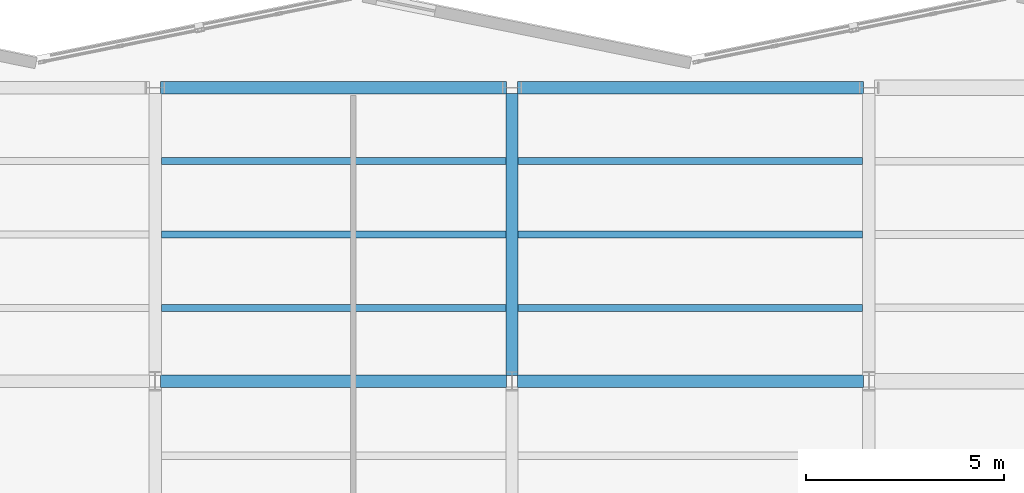
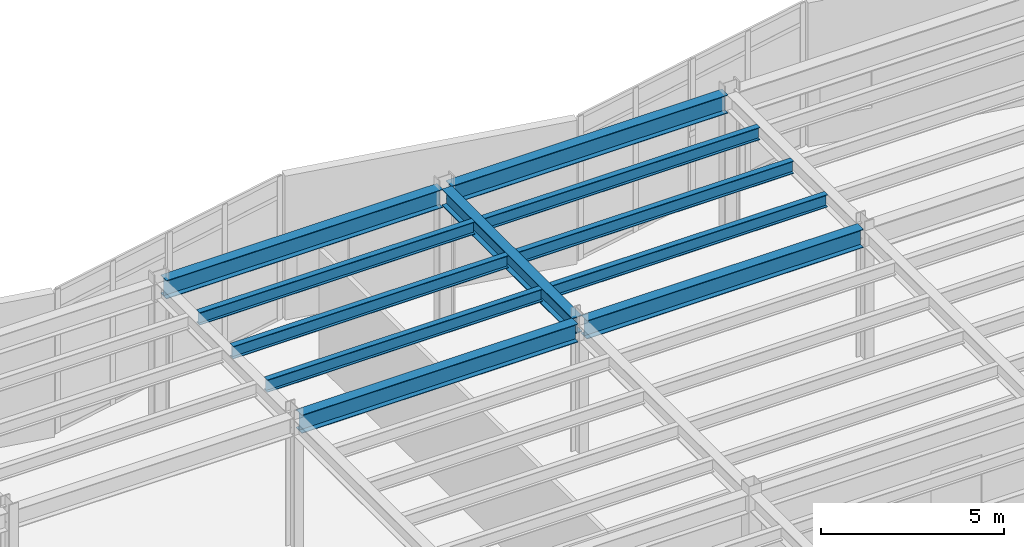
# One storey, part 45 of 91: 11 beams.
"""IFC4 building model written with IfcOpenShell, lengths in metres."""

import ifcopenshell
import ifcopenshell.guid

model = None  # the IFC model being written
_history = None  # IfcOwnerHistory: only IFC2X3 demands one
_inside = {}  # id of a spatial element -> (the spatial element, [elements in it])
_under = {}  # id of a project, library or spatial element -> (it, [spatial elements below it])
_declared = {}  # id of a project -> (the project, [libraries it declares])
_typed = {}  # id of a type object -> (the type object, [elements of that type])
_made_of = {}  # id of a material, layer set ... -> (it, [elements and type objects made of it])


def new_model(schema):
    """Start an empty IFC model of exactly this schema.

    Asked for "IFC4X3", IfcOpenShell would pick the latest addendum, in which some entities
    have other attributes; the version numbers below select the first issue.
    IFC2X3 requires an IfcOwnerHistory on every rooted entity: one is made here for all.
    """
    global model, _history
    if schema == "IFC4X3":
        model = ifcopenshell.file(schema_version=(4, 3, 0, 0))
    else:
        model = ifcopenshell.file(schema=schema)
    _inside.clear()
    _under.clear()
    _declared.clear()
    _typed.clear()
    _made_of.clear()
    _history = None
    if model.schema == "IFC2X3":
        org = make("IfcOrganization", Name="unknown")
        user = make(
            "IfcPersonAndOrganization",
            ThePerson=make("IfcPerson", FamilyName="unknown"),
            TheOrganization=org,
        )
        app = make(
            "IfcApplication",
            ApplicationDeveloper=org,
            Version="unknown",
            ApplicationFullName="unknown",
            ApplicationIdentifier="unknown",
        )
        _history = make(
            "IfcOwnerHistory",
            OwningUser=user,
            OwningApplication=app,
            ChangeAction="ADDED",
            CreationDate=0,
        )
    return model


def make(cls, **values):
    """One entity of the class cls with the attributes given. An attribute that is None is left unset."""
    return model.create_entity(
        cls, **{name: value for name, value in values.items() if value is not None}
    )


def rooted(cls, **values):
    """An entity with a GlobalId (a new one), such as an element, a storey or a relation."""
    return make(cls, GlobalId=ifcopenshell.guid.new(), OwnerHistory=_history, **values)


def si_unit(unit_type, name, prefix=None):
    """IfcSIUnit, for example si_unit("LENGTHUNIT", "METRE", prefix="MILLI")."""
    return make("IfcSIUnit", UnitType=unit_type, Prefix=prefix, Name=name)


def assignment(units):
    """IfcUnitAssignment: the units of a project."""
    return None if units is None else make("IfcUnitAssignment", Units=units)


def point(xyz):
    """IfcCartesianPoint."""
    return None if xyz is None else make("IfcCartesianPoint", Coordinates=xyz)


def direction(xyz):
    """IfcDirection."""
    return None if xyz is None else make("IfcDirection", DirectionRatios=xyz)


def frame(location, z_axis=None, x_axis=None):
    """IfcAxis2Placement3D, a coordinate frame: its origin and axes. An axis left out is left unset."""
    return make(
        "IfcAxis2Placement3D",
        Location=point(location),
        Axis=direction(z_axis),
        RefDirection=direction(x_axis),
    )


def frame_2d(location, x_axis=None):
    """IfcAxis2Placement2D, a coordinate frame in the plane: its origin and x axis."""
    return make(
        "IfcAxis2Placement2D", Location=point(location), RefDirection=direction(x_axis)
    )


def origin():
    """The frame at (0, 0, 0) with its axes left unset."""
    return frame((0.0, 0.0, 0.0))


def origin_2d():
    """The frame at (0, 0) in the plane with its x axis left unset."""
    return frame_2d((0.0, 0.0))


def place(relative_to, where):
    """IfcLocalPlacement: puts the frame where relative to a parent placement (None: the world)."""
    return make(
        "IfcLocalPlacement", PlacementRelTo=relative_to, RelativePlacement=where
    )


def context(
    kind, dimensions, precision=None, world=None, true_north=None, identifier=None
):
    """IfcGeometricRepresentationContext, for example the 3D "Model" context."""
    return make(
        "IfcGeometricRepresentationContext",
        ContextIdentifier=identifier,
        ContextType=kind,
        CoordinateSpaceDimension=dimensions,
        Precision=precision,
        WorldCoordinateSystem=world,
        TrueNorth=true_north,
    )


def subcontext(parent, identifier, kind, view, scale=None):
    """IfcGeometricRepresentationSubContext, for example "Body" below "Model"."""
    return make(
        "IfcGeometricRepresentationSubContext",
        ContextIdentifier=identifier,
        ContextType=kind,
        ParentContext=parent,
        TargetScale=scale,
        TargetView=view,
    )


def project(units=None, contexts=None):
    """IfcProject with its units and contexts."""
    return rooted(
        "IfcProject",
        Name="project",
        RepresentationContexts=contexts,
        UnitsInContext=assignment(units),
    )


def spatial(cls, under=None, at=None, **own):
    """A site, building, storey or space (cls), placed at a placement, below another one or the project."""
    s = rooted(cls, ObjectPlacement=at, **own)
    if under is not None:
        _under.setdefault(under.id(), (under, []))[1].append(s)
    return s


def profile(cls, at=None, kind="AREA", **sizes):
    """A parametric profile (cls). Its sizes go by their IFC names, for example OverallWidth=200.0."""
    return make(cls, ProfileType=kind, Position=at, **sizes)


def i_section(**sizes):
    """IfcIShapeProfileDef."""
    return profile("IfcIShapeProfileDef", **sizes)


def extrude(swept, where, along, depth):
    """IfcExtrudedAreaSolid: the profile swept, set in the frame where, extruded along a direction by depth."""
    return make(
        "IfcExtrudedAreaSolid",
        SweptArea=swept,
        Position=where,
        ExtrudedDirection=direction(along),
        Depth=depth,
    )


def shape(context_of_items, identifier, shape_type, items):
    """IfcShapeRepresentation: the items that make up one representation, for example the "Body"."""
    return make(
        "IfcShapeRepresentation",
        ContextOfItems=context_of_items,
        RepresentationIdentifier=identifier,
        RepresentationType=shape_type,
        Items=items,
    )


def material(Name=None, Category=None):
    """IfcMaterial."""
    return make("IfcMaterial", Name=Name, Category=Category)


def material_profile(
    of_material, cross_section, Name=None, Category=None, Priority=None
):
    """IfcMaterialProfile: a cross section and its material."""
    return make(
        "IfcMaterialProfile",
        Name=Name,
        Material=of_material,
        Profile=cross_section,
        Priority=Priority,
        Category=Category,
    )


def profile_set(profiles, Name=None, composite=None):
    """IfcMaterialProfileSet."""
    return make(
        "IfcMaterialProfileSet",
        Name=Name,
        MaterialProfiles=profiles,
        CompositeProfile=composite,
    )


def made_of(thing, what):
    """Note that an element or type object is made of a material, layer set ...; save() writes the relation."""
    if what is not None:
        _made_of.setdefault(what.id(), (what, []))[1].append(thing)
    return thing


def type_object(cls, material=None, **own):
    """A type object (cls), such as IfcWallType, which elements share."""
    return made_of(rooted(cls, **own), material)


def element(
    cls,
    number,
    at=None,
    inside=None,
    cuts=None,
    type_object=None,
    material=None,
    context=None,
    identifier="Body",
    shape_type=None,
    held_by="IfcProductDefinitionShape",
    body=None,
    shapes=None,
    **own,
):
    """One element of the class cls, such as IfcWall. Its Tag is "e" and its number.

    at: its placement. inside: the storey or other place that contains it. cuts: it is an
    opening in that element (IfcRelVoidsElement). A single representation is given by context,
    identifier, shape_type and body (its items); several are given by shapes. held_by: the class
    of the entity that holds the representations. save() writes the other relations.
    """
    e = rooted(cls, Tag="e%d" % number, ObjectPlacement=at, **own)
    if body is not None:
        shapes = [shape(context, identifier, shape_type, body)]
    if shapes is not None:
        e.Representation = make(held_by, Representations=shapes)
    if inside is not None:
        _inside.setdefault(inside.id(), (inside, []))[1].append(e)
    if cuts is not None:
        rooted(
            "IfcRelVoidsElement", RelatingBuildingElement=cuts, RelatedOpeningElement=e
        )
    if type_object is not None:
        _typed.setdefault(type_object.id(), (type_object, []))[1].append(e)
    return made_of(e, material)


def aggregate(whole, parts):
    """IfcRelAggregates: a whole, such as a stair, and the parts it consists of."""
    return rooted("IfcRelAggregates", RelatingObject=whole, RelatedObjects=parts)


def save(model, path):
    """Write the relations noted so far, then the file.

    IfcRelAggregates (storeys below a building ...), IfcRelContainedInSpatialStructure (elements
    in a storey), IfcRelDefinesByType, IfcRelAssociatesMaterial and IfcRelDeclares: one each for
    every whole, place, type object, material and project.
    """
    for whole, parts in _under.values():
        aggregate(whole, parts)
    for where, things in _inside.values():
        rooted(
            "IfcRelContainedInSpatialStructure",
            RelatedElements=things,
            RelatingStructure=where,
        )
    for kind, things in _typed.values():
        rooted("IfcRelDefinesByType", RelatedObjects=things, RelatingType=kind)
    for what, things in _made_of.values():
        rooted("IfcRelAssociatesMaterial", RelatedObjects=things, RelatingMaterial=what)
    for by, libraries in _declared.values():
        rooted("IfcRelDeclares", RelatingContext=by, RelatedDefinitions=libraries)
    model.write(path)


model = new_model("IFC4")

# Units and contexts
model_context = context("Model", 3, precision=1e-05, world=origin(), true_north=direction((0.0, 1.0)))
body_context = subcontext(model_context, "Body", "Model", "MODEL_VIEW")
ifc_project = project(units=[si_unit("LENGTHUNIT", "METRE"), si_unit("AREAUNIT", "SQUARE_METRE"), si_unit("VOLUMEUNIT", "CUBIC_METRE"), si_unit("PLANEANGLEUNIT", "RADIAN"), si_unit("MASSUNIT", "GRAM", prefix="KILO")], contexts=[model_context])

# Site, building, storey
site_placement = place(None, origin())
site = spatial("IfcSite", under=ifc_project, at=site_placement, CompositionType="ELEMENT")
building_placement = place(site_placement, origin())
building = spatial("IfcBuilding", under=site, at=building_placement, Name="Sollismere Congress Hotel", CompositionType="ELEMENT")
storey_placement = place(building_placement, frame((0.0, 0.0, 10.800048828125)))
storey = spatial("IfcBuildingStorey", under=building, at=storey_placement, Name="L02", CompositionType="ELEMENT", Elevation=10.800048828125)

# Beams
ifc_material = material(Name="Steel ASTM A992 Grade 50", Category="steel")
ifc_material_profile_1 = material_profile(ifc_material, i_section(OverallWidth=0.31494140625, OverallDepth=0.551025390625, WebThickness=0.01513671875, FlangeThickness=0.0244140625, at=origin_2d()), Name="W21X122")
ifc_profile_set_1 = profile_set([ifc_material_profile_1], Name="Steel ASTM A992 Grade 50")
beam_type_1 = type_object("IfcBeamType", Name="BM-G21H", PredefinedType="BEAM", material=ifc_profile_set_1)
beam_placement = place(storey_placement, frame((103.0, 95.139892578125, 4.224365234375), z_axis=(0.0, 1.0, 0.0), x_axis=(-1.0, 0.0, 0.0)))
element("IfcBeam", 1, at=beam_placement, inside=storey, type_object=beam_type_1, Name="Beam BM-L02-2110", PredefinedType="BEAM", context=body_context, shape_type="SweptSolid", body=[
    extrude(i_section(OverallWidth=0.31494140625, OverallDepth=0.551025390625, WebThickness=0.01513671875, FlangeThickness=0.0244140625, at=origin_2d()), origin(), (0.0, 0.0, 1.0), 7.1201171875),
])
ifc_material_profile_2 = material_profile(ifc_material, i_section(OverallWidth=0.324951171875, OverallDepth=0.612060546875, WebThickness=0.0126953125, FlangeThickness=0.01904296875, at=origin_2d()), Name="W24X104")
ifc_profile_set_2 = profile_set([ifc_material_profile_2], Name="Steel ASTM A992 Grade 50")
beam_type_2 = type_object("IfcBeamType", Name="BM-G24", PredefinedType="BEAM", material=ifc_profile_set_2)
for number, where, z_axis, x_axis, name in (
    (2, (94.139892578125, 95.0, 4.19384765625), (1.0, 0.0, 0.0), (0.0, 1.0, 0.0), "Beam BM-L02-2045"),
    (3, (103.139892578125, 95.0, 4.19384765625), (1.0, 0.0, 0.0), (0.0, 1.0, 0.0), "Beam BM-L02-2046"),
    (4, (94.139892578125, 102.39990234375, 4.19384765625), (1.0, 0.0, 0.0), (0.0, 1.0, 0.0), "Beam BM-L02-2052"),
    (5, (103.139892578125, 102.39990234375, 4.19384765625), (1.0, 0.0, 0.0), (0.0, 1.0, 0.0), "Beam BM-L02-2053"),
):
    element("IfcBeam", number, at=place(storey_placement, frame(where, z_axis=z_axis, x_axis=x_axis)), inside=storey, type_object=beam_type_2, Name=name, PredefinedType="BEAM", context=body_context, shape_type="SweptSolid", body=[
        extrude(i_section(OverallWidth=0.324951171875, OverallDepth=0.612060546875, WebThickness=0.0126953125, FlangeThickness=0.01904296875, at=origin_2d()), origin(), (0.0, 0.0, 1.0), 8.72021484375),
    ])
ifc_material_profile_3 = material_profile(ifc_material, i_section(OverallWidth=0.180908203125, OverallDepth=0.4169921875, WebThickness=0.010986328125, FlangeThickness=0.018310546875, at=origin_2d()), Name="W16X57")
ifc_profile_set_3 = profile_set([ifc_material_profile_3], Name="Steel ASTM A992 Grade 50")
beam_type_3 = type_object("IfcBeamType", Name="BM-J16", PredefinedType="JOIST", material=ifc_profile_set_3)
for number, where, z_axis, x_axis, name in (
    (6, (94.157470703125, 96.85009765625, 4.29150390625), (1.0, 0.0, 0.0), (0.0, 1.0, 0.0), "Beam BM-L02-2254"),
    (7, (94.157470703125, 98.699951171875, 4.29150390625), (1.0, 0.0, 0.0), (0.0, 1.0, 0.0), "Beam BM-L02-2255"),
    (8, (94.157470703125, 100.550048828125, 4.29150390625), (1.0, 0.0, 0.0), (0.0, 1.0, 0.0), "Beam BM-L02-2256"),
    (9, (103.157470703125, 96.85009765625, 4.29150390625), (1.0, 0.0, 0.0), (0.0, 1.0, 0.0), "Beam BM-L02-2269"),
    (10, (103.157470703125, 98.699951171875, 4.29150390625), (1.0, 0.0, 0.0), (0.0, 1.0, 0.0), "Beam BM-L02-2270"),
    (11, (103.157470703125, 100.550048828125, 4.29150390625), (1.0, 0.0, 0.0), (0.0, 1.0, 0.0), "Beam BM-L02-2271"),
):
    element("IfcBeam", number, at=place(storey_placement, frame(where, z_axis=z_axis, x_axis=x_axis)), inside=storey, type_object=beam_type_3, Name=name, PredefinedType="JOIST", context=body_context, shape_type="SweptSolid", body=[
        extrude(i_section(OverallWidth=0.180908203125, OverallDepth=0.4169921875, WebThickness=0.010986328125, FlangeThickness=0.018310546875, at=origin_2d()), origin(), (0.0, 0.0, 1.0), 8.68505859375),
    ])

save(model, "model.ifc")
